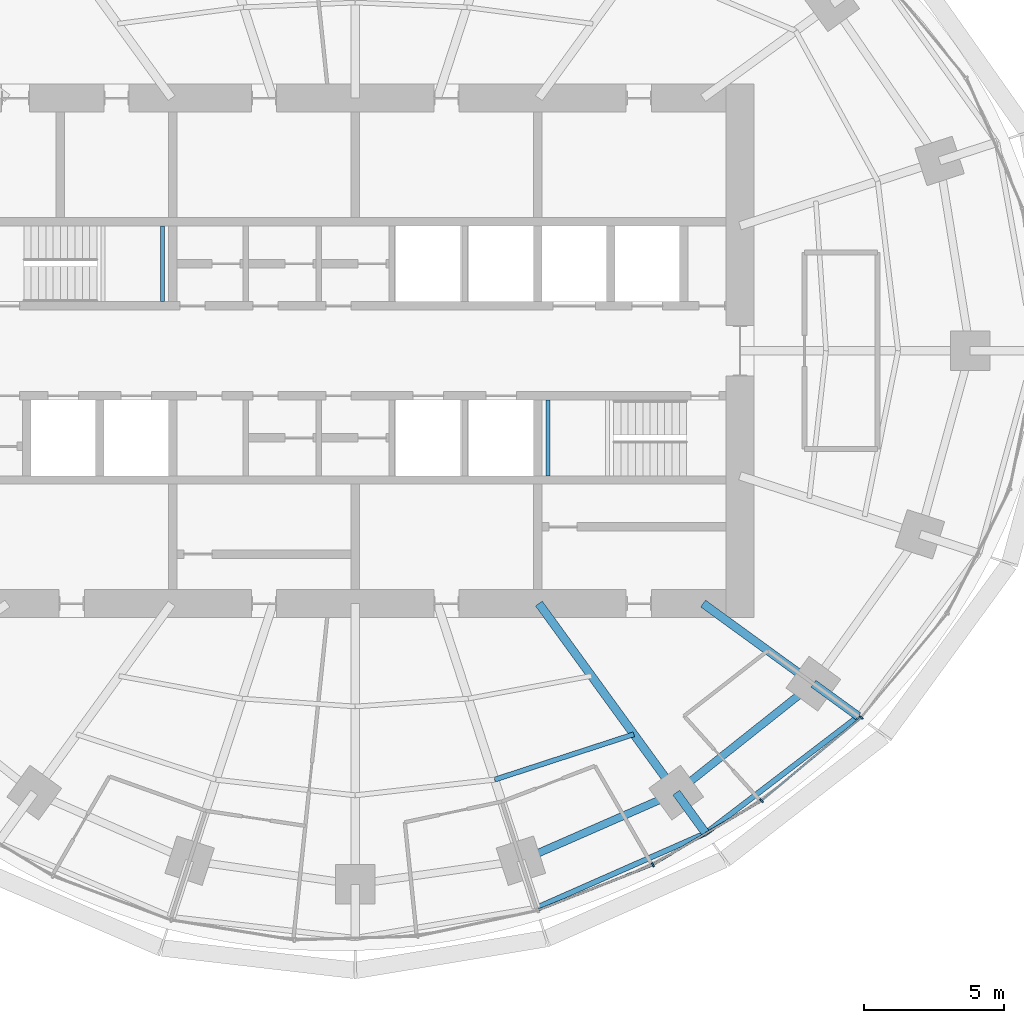
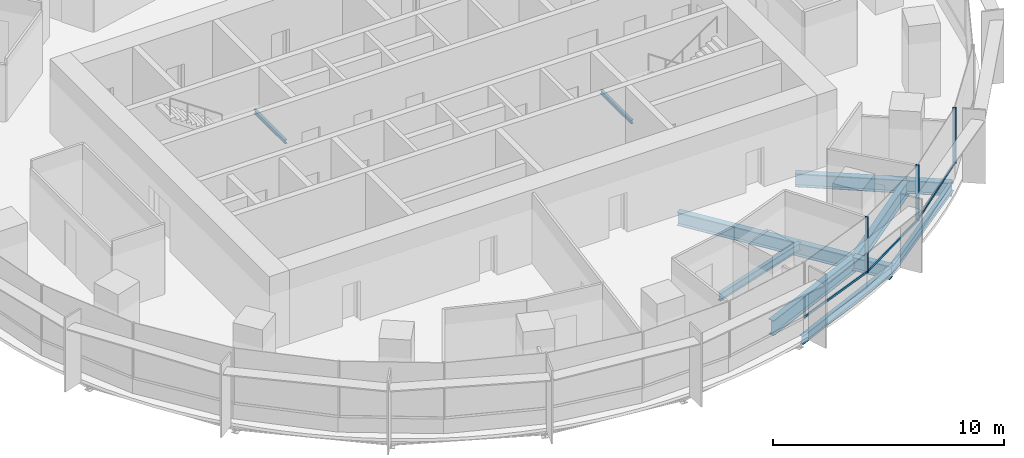
# One storey, part 5 of 15: 11 beams, 6 members, 2 elements without a shape of their own.
"""IFC4 building model written with IfcOpenShell, lengths in metres."""

import ifcopenshell
import ifcopenshell.guid

model = None  # the IFC model being written
_history = None  # IfcOwnerHistory: only IFC2X3 demands one
_inside = {}  # id of a spatial element -> (the spatial element, [elements in it])
_under = {}  # id of a project, library or spatial element -> (it, [spatial elements below it])
_declared = {}  # id of a project -> (the project, [libraries it declares])
_typed = {}  # id of a type object -> (the type object, [elements of that type])
_made_of = {}  # id of a material, layer set ... -> (it, [elements and type objects made of it])


def new_model(schema):
    """Start an empty IFC model of exactly this schema.

    Asked for "IFC4X3", IfcOpenShell would pick the latest addendum, in which some entities
    have other attributes; the version numbers below select the first issue.
    IFC2X3 requires an IfcOwnerHistory on every rooted entity: one is made here for all.
    """
    global model, _history
    if schema == "IFC4X3":
        model = ifcopenshell.file(schema_version=(4, 3, 0, 0))
    else:
        model = ifcopenshell.file(schema=schema)
    _inside.clear()
    _under.clear()
    _declared.clear()
    _typed.clear()
    _made_of.clear()
    _history = None
    if model.schema == "IFC2X3":
        org = make("IfcOrganization", Name="unknown")
        user = make(
            "IfcPersonAndOrganization",
            ThePerson=make("IfcPerson", FamilyName="unknown"),
            TheOrganization=org,
        )
        app = make(
            "IfcApplication",
            ApplicationDeveloper=org,
            Version="unknown",
            ApplicationFullName="unknown",
            ApplicationIdentifier="unknown",
        )
        _history = make(
            "IfcOwnerHistory",
            OwningUser=user,
            OwningApplication=app,
            ChangeAction="ADDED",
            CreationDate=0,
        )
    return model


def make(cls, **values):
    """One entity of the class cls with the attributes given. An attribute that is None is left unset."""
    return model.create_entity(
        cls, **{name: value for name, value in values.items() if value is not None}
    )


def rooted(cls, **values):
    """An entity with a GlobalId (a new one), such as an element, a storey or a relation."""
    return make(cls, GlobalId=ifcopenshell.guid.new(), OwnerHistory=_history, **values)


def si_unit(unit_type, name, prefix=None):
    """IfcSIUnit, for example si_unit("LENGTHUNIT", "METRE", prefix="MILLI")."""
    return make("IfcSIUnit", UnitType=unit_type, Prefix=prefix, Name=name)


def assignment(units):
    """IfcUnitAssignment: the units of a project."""
    return None if units is None else make("IfcUnitAssignment", Units=units)


def point(xyz):
    """IfcCartesianPoint."""
    return None if xyz is None else make("IfcCartesianPoint", Coordinates=xyz)


def direction(xyz):
    """IfcDirection."""
    return None if xyz is None else make("IfcDirection", DirectionRatios=xyz)


def frame(location, z_axis=None, x_axis=None):
    """IfcAxis2Placement3D, a coordinate frame: its origin and axes. An axis left out is left unset."""
    return make(
        "IfcAxis2Placement3D",
        Location=point(location),
        Axis=direction(z_axis),
        RefDirection=direction(x_axis),
    )


def frame_2d(location, x_axis=None):
    """IfcAxis2Placement2D, a coordinate frame in the plane: its origin and x axis."""
    return make(
        "IfcAxis2Placement2D", Location=point(location), RefDirection=direction(x_axis)
    )


def origin():
    """The frame at (0, 0, 0) with its axes left unset."""
    return frame((0.0, 0.0, 0.0))


def origin_2d():
    """The frame at (0, 0) in the plane with its x axis left unset."""
    return frame_2d((0.0, 0.0))


def place(relative_to, where):
    """IfcLocalPlacement: puts the frame where relative to a parent placement (None: the world)."""
    return make(
        "IfcLocalPlacement", PlacementRelTo=relative_to, RelativePlacement=where
    )


def context(
    kind, dimensions, precision=None, world=None, true_north=None, identifier=None
):
    """IfcGeometricRepresentationContext, for example the 3D "Model" context."""
    return make(
        "IfcGeometricRepresentationContext",
        ContextIdentifier=identifier,
        ContextType=kind,
        CoordinateSpaceDimension=dimensions,
        Precision=precision,
        WorldCoordinateSystem=world,
        TrueNorth=true_north,
    )


def subcontext(parent, identifier, kind, view, scale=None):
    """IfcGeometricRepresentationSubContext, for example "Body" below "Model"."""
    return make(
        "IfcGeometricRepresentationSubContext",
        ContextIdentifier=identifier,
        ContextType=kind,
        ParentContext=parent,
        TargetScale=scale,
        TargetView=view,
    )


def project(units=None, contexts=None):
    """IfcProject with its units and contexts."""
    return rooted(
        "IfcProject",
        Name="project",
        RepresentationContexts=contexts,
        UnitsInContext=assignment(units),
    )


def spatial(cls, under=None, at=None, **own):
    """A site, building, storey or space (cls), placed at a placement, below another one or the project."""
    s = rooted(cls, ObjectPlacement=at, **own)
    if under is not None:
        _under.setdefault(under.id(), (under, []))[1].append(s)
    return s


def profile(cls, at=None, kind="AREA", **sizes):
    """A parametric profile (cls). Its sizes go by their IFC names, for example OverallWidth=200.0."""
    return make(cls, ProfileType=kind, Position=at, **sizes)


def rectangle(**sizes):
    """IfcRectangleProfileDef."""
    return profile("IfcRectangleProfileDef", **sizes)


def i_section(**sizes):
    """IfcIShapeProfileDef."""
    return profile("IfcIShapeProfileDef", **sizes)


def extrude(swept, where, along, depth):
    """IfcExtrudedAreaSolid: the profile swept, set in the frame where, extruded along a direction by depth."""
    return make(
        "IfcExtrudedAreaSolid",
        SweptArea=swept,
        Position=where,
        ExtrudedDirection=direction(along),
        Depth=depth,
    )


def shape(context_of_items, identifier, shape_type, items):
    """IfcShapeRepresentation: the items that make up one representation, for example the "Body"."""
    return make(
        "IfcShapeRepresentation",
        ContextOfItems=context_of_items,
        RepresentationIdentifier=identifier,
        RepresentationType=shape_type,
        Items=items,
    )


def material(Name=None, Category=None):
    """IfcMaterial."""
    return make("IfcMaterial", Name=Name, Category=Category)


def material_profile(
    of_material, cross_section, Name=None, Category=None, Priority=None
):
    """IfcMaterialProfile: a cross section and its material."""
    return make(
        "IfcMaterialProfile",
        Name=Name,
        Material=of_material,
        Profile=cross_section,
        Priority=Priority,
        Category=Category,
    )


def profile_set(profiles, Name=None, composite=None):
    """IfcMaterialProfileSet."""
    return make(
        "IfcMaterialProfileSet",
        Name=Name,
        MaterialProfiles=profiles,
        CompositeProfile=composite,
    )


def made_of(thing, what):
    """Note that an element or type object is made of a material, layer set ...; save() writes the relation."""
    if what is not None:
        _made_of.setdefault(what.id(), (what, []))[1].append(thing)
    return thing


def type_object(cls, material=None, **own):
    """A type object (cls), such as IfcWallType, which elements share."""
    return made_of(rooted(cls, **own), material)


def element(
    cls,
    number,
    at=None,
    inside=None,
    cuts=None,
    type_object=None,
    material=None,
    context=None,
    identifier="Body",
    shape_type=None,
    held_by="IfcProductDefinitionShape",
    body=None,
    shapes=None,
    **own,
):
    """One element of the class cls, such as IfcWall. Its Tag is "e" and its number.

    at: its placement. inside: the storey or other place that contains it. cuts: it is an
    opening in that element (IfcRelVoidsElement). A single representation is given by context,
    identifier, shape_type and body (its items); several are given by shapes. held_by: the class
    of the entity that holds the representations. save() writes the other relations.
    """
    e = rooted(cls, Tag="e%d" % number, ObjectPlacement=at, **own)
    if body is not None:
        shapes = [shape(context, identifier, shape_type, body)]
    if shapes is not None:
        e.Representation = make(held_by, Representations=shapes)
    if inside is not None:
        _inside.setdefault(inside.id(), (inside, []))[1].append(e)
    if cuts is not None:
        rooted(
            "IfcRelVoidsElement", RelatingBuildingElement=cuts, RelatedOpeningElement=e
        )
    if type_object is not None:
        _typed.setdefault(type_object.id(), (type_object, []))[1].append(e)
    return made_of(e, material)


def aggregate(whole, parts):
    """IfcRelAggregates: a whole, such as a stair, and the parts it consists of."""
    return rooted("IfcRelAggregates", RelatingObject=whole, RelatedObjects=parts)


def save(model, path):
    """Write the relations noted so far, then the file.

    IfcRelAggregates (storeys below a building ...), IfcRelContainedInSpatialStructure (elements
    in a storey), IfcRelDefinesByType, IfcRelAssociatesMaterial and IfcRelDeclares: one each for
    every whole, place, type object, material and project.
    """
    for whole, parts in _under.values():
        aggregate(whole, parts)
    for where, things in _inside.values():
        rooted(
            "IfcRelContainedInSpatialStructure",
            RelatedElements=things,
            RelatingStructure=where,
        )
    for kind, things in _typed.values():
        rooted("IfcRelDefinesByType", RelatedObjects=things, RelatingType=kind)
    for what, things in _made_of.values():
        rooted("IfcRelAssociatesMaterial", RelatedObjects=things, RelatingMaterial=what)
    for by, libraries in _declared.values():
        rooted("IfcRelDeclares", RelatingContext=by, RelatedDefinitions=libraries)
    model.write(path)


model = new_model("IFC4")

# Units and contexts
model_context = context("Model", 3, precision=1e-05, world=origin(), true_north=direction((0.0, 1.0)))
body_context = subcontext(model_context, "Body", "Model", "MODEL_VIEW")
ifc_project = project(units=[si_unit("LENGTHUNIT", "METRE"), si_unit("AREAUNIT", "SQUARE_METRE"), si_unit("VOLUMEUNIT", "CUBIC_METRE"), si_unit("PLANEANGLEUNIT", "RADIAN"), si_unit("MASSUNIT", "GRAM", prefix="KILO")], contexts=[model_context])

# Site, building, storey
site_placement = place(None, origin())
site = spatial("IfcSite", under=ifc_project, at=site_placement, CompositionType="ELEMENT")
building_placement = place(site_placement, origin())
building = spatial("IfcBuilding", under=site, at=building_placement, Name="Marramba Exchange Tower", CompositionType="ELEMENT")
storey_placement = place(building_placement, frame((0.0, 0.0, 191.60009765625)))
storey = spatial("IfcBuildingStorey", under=building, at=storey_placement, Name="L46", CompositionType="ELEMENT", Elevation=191.60009765625)

# Beams
ifc_material_1 = material(Name="Steel AS/NZS 3679.2 grade 300", Category="steel")
ifc_material_profile_1 = material_profile(ifc_material_1, i_section(OverallWidth=0.300048828125, OverallDepth=0.699951171875, WebThickness=0.010009765625, FlangeThickness=0.031982421875, at=origin_2d()), Name="700WB173")
ifc_profile_set_1 = profile_set([ifc_material_profile_1], Name="Steel AS/NZS 3679.2 grade 300")
beam_type_1 = type_object("IfcBeamType", Name="Cantilever girder 700WB173", PredefinedType="BEAM", material=ifc_profile_set_1)
beam_1_placement = place(storey_placement, frame((11.430419921875, -15.732666015625, -0.510009765625), z_axis=(0.58783009415, -0.808984412959, 0.0), x_axis=(0.808984412959, 0.58783009415, 0.0)))
element("IfcBeam", 1, at=beam_1_placement, inside=storey, type_object=beam_type_1, Name="Cantilever girder L46 TC18", PredefinedType="BEAM", context=body_context, shape_type="SweptSolid", body=[
    extrude(i_section(OverallWidth=0.300048828125, OverallDepth=0.699951171875, WebThickness=0.010009765625, FlangeThickness=0.031982421875, at=origin_2d()), origin(), (0.0, 0.0, 1.0), 1.78515625),
])
beam_2_placement = place(storey_placement, frame((16.3154296875, -11.853759765625, -0.510009765625), z_axis=(0.808970801893, -0.587848825537, 0.0), x_axis=(0.587848825537, 0.808970801893, 0.0)))
element("IfcBeam", 2, at=beam_2_placement, inside=storey, type_object=beam_type_1, Name="Cantilever girder L46 TC19", PredefinedType="BEAM", context=body_context, shape_type="SweptSolid", body=[
    extrude(i_section(OverallWidth=0.300048828125, OverallDepth=0.699951171875, WebThickness=0.010009765625, FlangeThickness=0.031982421875, at=origin_2d()), origin(), (0.0, 0.0, 1.0), 1.978515625),
])
ifc_material_2 = material(Name="Steel AS/NZS 3679.1 grade 300", Category="steel")
ifc_material_profile_2 = material_profile(ifc_material_2, i_section(OverallWidth=0.177978515625, OverallDepth=0.406005859375, WebThickness=0.0078125, FlangeThickness=0.0126953125, FilletRadius=0.011474609375, at=origin_2d()), Name="410UB59.7")
ifc_profile_set_2 = profile_set([ifc_material_profile_2], Name="Steel AS/NZS 3679.1 grade 300")
beam_type_2 = type_object("IfcBeamType", Name="Floor joist 410UB59.7", PredefinedType="JOIST", material=ifc_profile_set_2)
beam_3_placement = place(storey_placement, frame((4.9619140625, -15.271484375, -0.363037109375), z_axis=(0.950764024931, 0.309915744834, 0.0), x_axis=(-0.309915744834, 0.950764024931, 0.0)))
element("IfcBeam", 3, at=beam_3_placement, inside=storey, type_object=beam_type_2, Name="Joist L46 bay 17 row 2", PredefinedType="JOIST", context=body_context, shape_type="SweptSolid", body=[
    extrude(i_section(OverallWidth=0.177978515625, OverallDepth=0.406005859375, WebThickness=0.0078125, FlangeThickness=0.0126953125, FilletRadius=0.011474609375, at=origin_2d()), origin(), (0.0, 0.0, 1.0), 5.2158203125),
])

# Curtain wall, members
ifc_material_3 = material(Name="Aluminium framing, bronze anodised", Category="aluminium")
curtain_wall_type = type_object("IfcCurtainWallType", Name="Office ribbon curtain wall", PredefinedType="USERDEFINED", material=ifc_material_3)
curtain_wall_1_placement = place(storey_placement, origin())
curtain_wall_1 = element("IfcCurtainWall", 4, at=curtain_wall_1_placement, inside=storey, type_object=curtain_wall_type, Name="Curtain wall CW4 L46 F26-F30", ObjectType="RIBBON CURTAIN WALL", PredefinedType="USERDEFINED")
ifc_material_4 = material(Name="Aluminium mullion, bronze anodised", Category="aluminium")
ifc_material_profile_3 = material_profile(ifc_material_4, rectangle(XDim=0.159912109375, YDim=0.06005859375, at=origin_2d()), Name="CW4 mullion 60x160")
ifc_profile_set_3 = profile_set([ifc_material_profile_3], Name="Aluminium mullion, bronze anodised")
member_type_1 = type_object("IfcMemberType", Name="Office ribbon curtain wall mullion", PredefinedType="MULLION", material=ifc_profile_set_3)
member_1_placement = place(storey_placement, frame((10.60009765625, -18.2998046875, 0.7998046875), z_axis=(0.0, 0.0, 1.0), x_axis=(-0.508010571686, 0.861350833897, 0.0)))
member_1 = element("IfcMember", 5, at=member_1_placement, type_object=member_type_1, Name="CW4 mullion 1", PredefinedType="MULLION", context=body_context, shape_type="SweptSolid", body=[
    extrude(rectangle(XDim=0.159912109375, YDim=0.06005859375, at=origin_2d()), origin(), (0.0, 0.0, 1.0), 2.940185546875),
])
member_2_placement = place(storey_placement, frame((14.461669921875, -16.0166015625, 0.7998046875), z_axis=(0.0, 0.0, 1.0), x_axis=(-0.639565270127, 0.768736798421, 0.0)))
member_2 = element("IfcMember", 6, at=member_2_placement, type_object=member_type_1, Name="CW4 mullion 1", PredefinedType="MULLION", context=body_context, shape_type="SweptSolid", body=[
    extrude(rectangle(XDim=0.159912109375, YDim=0.06005859375, at=origin_2d()), origin(), (0.0, 0.0, 1.0), 2.940185546875),
])
member_3_placement = place(storey_placement, frame((18.01611328125, -13.052490234375, 0.7998046875), z_axis=(0.0, 0.0, 1.0), x_axis=(-0.769912069289, 0.63814998673, 0.0)))
member_3 = element("IfcMember", 7, at=member_3_placement, type_object=member_type_1, Name="CW4 mullion 1", PredefinedType="MULLION", context=body_context, shape_type="SweptSolid", body=[
    extrude(rectangle(XDim=0.159912109375, YDim=0.06005859375, at=origin_2d()), origin(), (0.0, 0.0, 1.0), 2.940185546875),
])

# Curtain wall, member
curtain_wall_2_placement = place(storey_placement, origin())
curtain_wall_2 = element("IfcCurtainWall", 8, at=curtain_wall_2_placement, inside=storey, type_object=curtain_wall_type, Name="Curtain wall CW4 L46 F21-F25", ObjectType="RIBBON CURTAIN WALL", PredefinedType="USERDEFINED")
ifc_material_5 = material(Name="Aluminium transom, bronze anodised", Category="aluminium")
ifc_material_profile_4 = material_profile(ifc_material_5, rectangle(XDim=0.06005859375, YDim=0.1201171875, at=origin_2d()), Name="CW4 transom 60x120")
ifc_profile_set_4 = profile_set([ifc_material_profile_4], Name="Aluminium transom, bronze anodised")
member_type_2 = type_object("IfcMemberType", Name="Office ribbon curtain wall transom", PredefinedType="USERDEFINED", material=ifc_profile_set_4)
member_4_placement = place(storey_placement, frame((6.53271484375, -19.911376953125, 0.829833984375), z_axis=(0.930068344217, 0.367386547229, 0.0), x_axis=(-0.367386547229, 0.930068344217, 0.0)))
member_4 = element("IfcMember", 9, at=member_4_placement, type_object=member_type_2, Name="CW4 sill transom", ObjectType="TRANSOM", PredefinedType="USERDEFINED", context=body_context, shape_type="SweptSolid", body=[
    extrude(rectangle(XDim=0.06005859375, YDim=0.1201171875, at=origin_2d()), origin(), (0.0, 0.0, 1.0), 4.345458984375),
])
aggregate(curtain_wall_2, [member_4])

# Member
member_5_placement = place(storey_placement, frame((10.6259765625, -18.28466796875, 0.829833984375), z_axis=(0.861342387959, 0.508024891816, 0.0), x_axis=(-0.508024891816, 0.861342387959, 0.0)))
member_5 = element("IfcMember", 10, at=member_5_placement, type_object=member_type_2, Name="CW4 sill transom", ObjectType="TRANSOM", PredefinedType="USERDEFINED", context=body_context, shape_type="SweptSolid", body=[
    extrude(rectangle(XDim=0.06005859375, YDim=0.1201171875, at=origin_2d()), origin(), (0.0, 0.0, 1.0), 4.426513671875),
])

member_6_placement = place(storey_placement, frame((14.48486328125, -15.99755859375, 0.829833984375), z_axis=(0.768707257272, 0.639600775967, 0.0), x_axis=(-0.639600775967, 0.768707257272, 0.0)))
member_6 = element("IfcMember", 11, at=member_6_placement, type_object=member_type_2, Name="CW4 sill transom", ObjectType="TRANSOM", PredefinedType="USERDEFINED", context=body_context, shape_type="SweptSolid", body=[
    extrude(rectangle(XDim=0.06005859375, YDim=0.1201171875, at=origin_2d()), origin(), (0.0, 0.0, 1.0), 4.568603515625),
])

aggregate(curtain_wall_1, [member_1, member_5, member_2, member_6, member_3])

# Beams
ifc_material_profile_5 = material_profile(ifc_material_1, i_section(OverallWidth=0.300048828125, OverallDepth=0.699951171875, WebThickness=0.010009765625, FlangeThickness=0.031982421875, at=origin_2d()), Name="700WB173")
ifc_profile_set_5 = profile_set([ifc_material_profile_5], Name="Steel AS/NZS 3679.2 grade 300")
beam_type_3 = type_object("IfcBeamType", Name="Radial girder 700WB173", PredefinedType="BEAM", material=ifc_profile_set_5)
beam_4_placement = place(storey_placement, frame((6.538818359375, -9.0, -0.510009765625), z_axis=(0.587787877172, -0.809015087282, 0.0), x_axis=(0.809015087282, 0.587787877172, 0.0)))
element("IfcBeam", 12, at=beam_4_placement, inside=storey, type_object=beam_type_3, Name="Radial girder L46 TC18", PredefinedType="BEAM", context=body_context, shape_type="SweptSolid", body=[
    extrude(i_section(OverallWidth=0.300048828125, OverallDepth=0.699951171875, WebThickness=0.010009765625, FlangeThickness=0.031982421875, at=origin_2d()), origin(), (0.0, 0.0, 1.0), 8.322021484375),
])
beam_5_placement = place(storey_placement, frame((12.387451171875, -9.0, -0.510009765625), z_axis=(0.809025189606, -0.58777397236, 0.0), x_axis=(0.58777397236, 0.809025189606, 0.0)))
element("IfcBeam", 13, at=beam_5_placement, inside=storey, type_object=beam_type_3, Name="Radial girder L46 TC19", PredefinedType="BEAM", context=body_context, shape_type="SweptSolid", body=[
    extrude(i_section(OverallWidth=0.300048828125, OverallDepth=0.699951171875, WebThickness=0.010009765625, FlangeThickness=0.031982421875, at=origin_2d()), origin(), (0.0, 0.0, 1.0), 4.855224609375),
])
ifc_material_profile_6 = material_profile(ifc_material_1, i_section(OverallWidth=0.27490234375, OverallDepth=0.800048828125, WebThickness=0.010009765625, FlangeThickness=0.02490234375, at=origin_2d()), Name="800WB168")
ifc_profile_set_6 = profile_set([ifc_material_profile_6], Name="Steel AS/NZS 3679.2 grade 300")
beam_type_4 = type_object("IfcBeamType", Name="Ring beam 800WB168", PredefinedType="SPANDREL", material=ifc_profile_set_6)
beam_6_placement = place(storey_placement, frame((5.899658203125, -18.156982421875, -0.56005859375), z_axis=(0.915876892158, 0.4014592363, 0.0), x_axis=(-0.4014592363, 0.915876892158, 0.0)))
element("IfcBeam", 14, at=beam_6_placement, inside=storey, type_object=beam_type_4, Name="Ring beam L46 TC17-TC18", PredefinedType="SPANDREL", context=body_context, shape_type="SweptSolid", body=[
    extrude(i_section(OverallWidth=0.27490234375, OverallDepth=0.800048828125, WebThickness=0.010009765625, FlangeThickness=0.02490234375, at=origin_2d()), origin(), (0.0, 0.0, 1.0), 6.038818359375),
])
beam_7_placement = place(storey_placement, frame((11.430419921875, -15.732666015625, -0.56005859375), z_axis=(0.783139438128, 0.621846138887, 0.0), x_axis=(-0.621846138887, 0.783139438128, 0.0)))
element("IfcBeam", 15, at=beam_7_placement, inside=storey, type_object=beam_type_4, Name="Ring beam L46 TC18-TC19", PredefinedType="SPANDREL", context=body_context, shape_type="SweptSolid", body=[
    extrude(i_section(OverallWidth=0.27490234375, OverallDepth=0.800048828125, WebThickness=0.010009765625, FlangeThickness=0.02490234375, at=origin_2d()), origin(), (0.0, 0.0, 1.0), 6.23779296875),
])
ifc_material_profile_7 = material_profile(ifc_material_2, i_section(OverallWidth=0.19091796875, OverallDepth=0.4599609375, WebThickness=0.010009765625, FlangeThickness=0.01611328125, FilletRadius=0.011474609375, at=origin_2d()), Name="460UB82.1")
ifc_profile_set_7 = profile_set([ifc_material_profile_7], Name="Steel AS/NZS 3679.1 grade 300")
beam_type_5 = type_object("IfcBeamType", Name="Slab edge beam 460UB82.1", PredefinedType="SPANDREL", material=ifc_profile_set_7)
beam_8_placement = place(storey_placement, frame((6.44580078125, -19.83837890625, -0.39013671875), z_axis=(0.914940719579, 0.403588255102, 0.0), x_axis=(-0.403588255102, 0.914940719579, 0.0)))
element("IfcBeam", 16, at=beam_8_placement, inside=storey, type_object=beam_type_5, Name="Slab edge beam L46 TC17-TC18", PredefinedType="SPANDREL", context=body_context, shape_type="SweptSolid", body=[
    extrude(i_section(OverallWidth=0.19091796875, OverallDepth=0.4599609375, WebThickness=0.010009765625, FlangeThickness=0.01611328125, FilletRadius=0.011474609375, at=origin_2d()), origin(), (0.0, 0.0, 1.0), 6.594970703125),
])
beam_9_placement = place(storey_placement, frame((12.479736328125, -17.1767578125, -0.39013671875), z_axis=(0.794163423189, 0.607704251481, 0.0), x_axis=(-0.607704251481, 0.794163423189, 0.0)))
element("IfcBeam", 17, at=beam_9_placement, inside=storey, type_object=beam_type_5, Name="Slab edge beam L46 TC18-TC19", PredefinedType="SPANDREL", context=body_context, shape_type="SweptSolid", body=[
    extrude(i_section(OverallWidth=0.19091796875, OverallDepth=0.4599609375, WebThickness=0.010009765625, FlangeThickness=0.01611328125, FilletRadius=0.011474609375, at=origin_2d()), origin(), (0.0, 0.0, 1.0), 6.84521484375),
])
ifc_material_profile_8 = material_profile(ifc_material_2, i_section(OverallWidth=0.133056640625, OverallDepth=0.202880859375, WebThickness=0.005859375, FlangeThickness=0.0078125, FilletRadius=0.0087890625, at=origin_2d()), Name="200UB25.4")
ifc_profile_set_8 = profile_set([ifc_material_profile_8], Name="Steel AS/NZS 3679.1 grade 300")
beam_type_6 = type_object("IfcBeamType", Name="Stair landing beam 200UB25.4", PredefinedType="BEAM", material=ifc_profile_set_8)
for number, where, z_axis, x_axis, name in (
    (18, (-6.866455078125, 1.75, 1.6484375), (0.0, 1.0, 0.0), (-1.0, 0.0, 0.0), "Stair landing beam SLB1 ST1 L46 2"),
    (19, (6.866455078125, -4.449951171875, 1.6484375), (0.0, 1.0, 0.0), (-1.0, 0.0, 0.0), "Stair landing beam SLB1 ST2 L46 1"),
):
    element("IfcBeam", number, at=place(storey_placement, frame(where, z_axis=z_axis, x_axis=x_axis)), inside=storey, type_object=beam_type_6, Name=name, PredefinedType="BEAM", context=body_context, shape_type="SweptSolid", body=[
        extrude(i_section(OverallWidth=0.133056640625, OverallDepth=0.202880859375, WebThickness=0.005859375, FlangeThickness=0.0078125, FilletRadius=0.0087890625, at=origin_2d()), origin(), (0.0, 0.0, 1.0), 2.699951171875),
    ])

save(model, "model.ifc")
